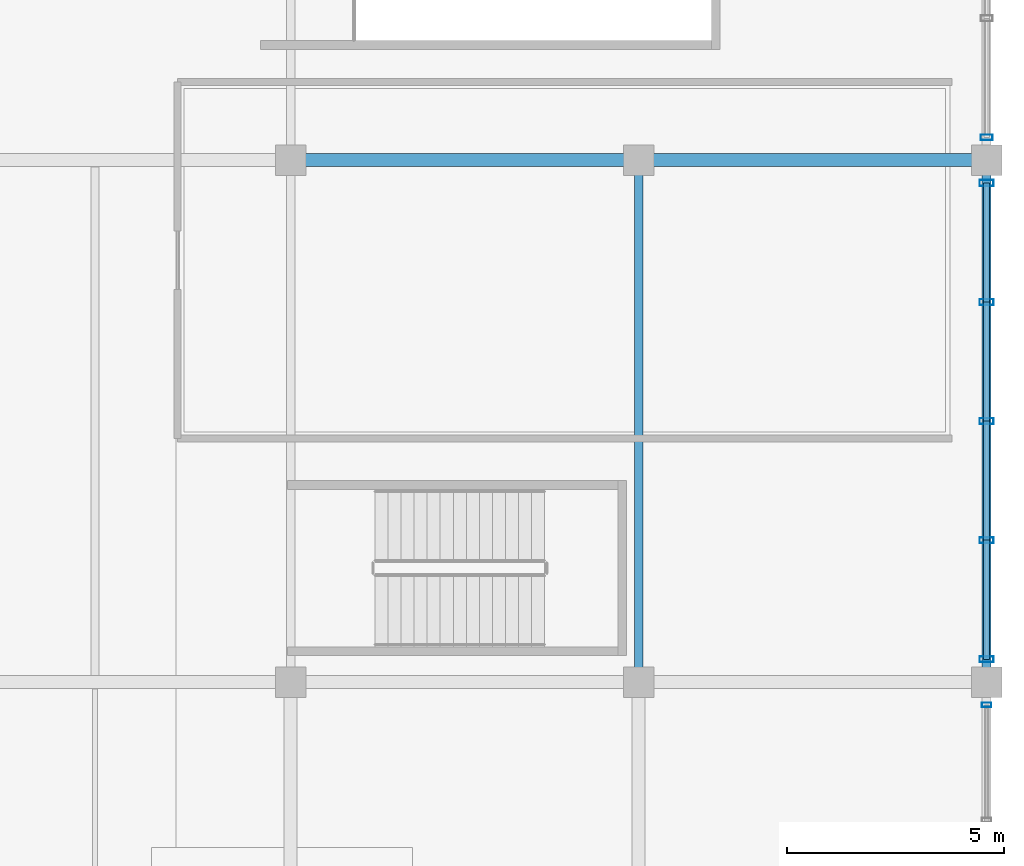
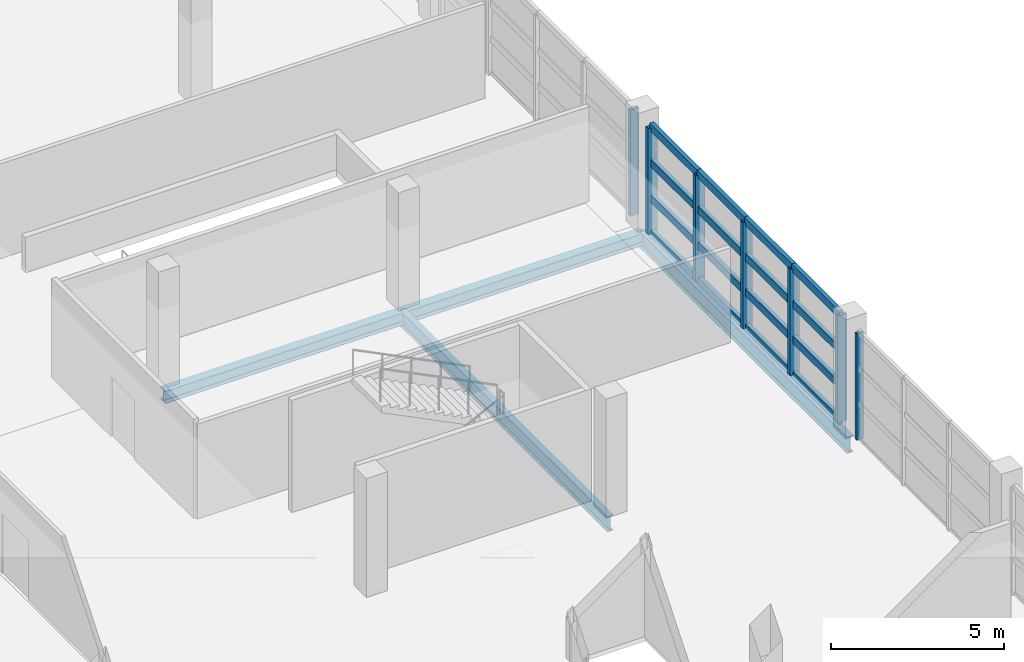
# One storey, part 66 of 136: 23 members, 4 beams, 3 elements without a shape of their own.
"""IFC4 building model written with IfcOpenShell, lengths in metres."""

from ifc_helpers import new_model, si_unit, direction, frame, origin, origin_2d, place, context, subcontext, project, spatial, hollow_rectangle, i_section, extrude, material, material_profile, profile_set, type_object, element, aggregate, save


model = new_model("IFC4")

# Units and contexts
model_context = context("Model", 3, precision=1e-05, world=origin(), true_north=direction((0.0, 1.0)))
body_context = subcontext(model_context, "Body", "Model", "MODEL_VIEW")
ifc_project = project(units=[si_unit("LENGTHUNIT", "METRE"), si_unit("AREAUNIT", "SQUARE_METRE"), si_unit("VOLUMEUNIT", "CUBIC_METRE"), si_unit("PLANEANGLEUNIT", "RADIAN"), si_unit("MASSUNIT", "GRAM", prefix="KILO")], contexts=[model_context])

# Site, building, storey
site_placement = place(None, origin())
site = spatial("IfcSite", under=ifc_project, at=site_placement, CompositionType="ELEMENT")
building_placement = place(site_placement, origin())
building = spatial("IfcBuilding", under=site, at=building_placement, Name="Chuanluo Vaults Station", CompositionType="ELEMENT")
storey_placement = place(building_placement, frame((0.0, 0.0, 6.60009765625)))
storey = spatial("IfcBuildingStorey", under=building, at=storey_placement, Name="L01", CompositionType="ELEMENT", Elevation=6.60009765625)

# Beams
ifc_material_1 = material(Name="Steel Q355C", Category="steel")
ifc_material_profile_1 = material_profile(ifc_material_1, i_section(OverallWidth=0.300048828125, OverallDepth=0.43994140625, WebThickness=0.010986328125, FlangeThickness=0.01806640625, FilletRadius=0.02001953125, at=origin_2d()))
ifc_profile_set_1 = profile_set([ifc_material_profile_1], Name="Steel Q355C")
beam_type_1 = type_object("IfcBeamType", Name="BM-GRD-450", PredefinedType="USERDEFINED", material=ifc_profile_set_1)
for number, where, z_axis, x_axis, name in (
    (1, (172.0, 30.0, -0.460205078125), (1.0, 0.0, 0.0), (0.0, 1.0, 0.0), "Floor girder BM:GX:L01:0308"),
    (2, (180.0, 30.0, -0.460205078125), (1.0, 0.0, 0.0), (0.0, 1.0, 0.0), "Floor girder BM:GX:L01:0309"),
):
    element("IfcBeam", number, at=place(storey_placement, frame(where, z_axis=z_axis, x_axis=x_axis)), inside=storey, type_object=beam_type_1, Name=name, ObjectType="GIRDER", PredefinedType="USERDEFINED", context=body_context, shape_type="SweptSolid", body=[
        extrude(i_section(OverallWidth=0.300048828125, OverallDepth=0.43994140625, WebThickness=0.010986328125, FlangeThickness=0.01806640625, FilletRadius=0.02001953125, at=origin_2d()), origin(), (0.0, 0.0, 1.0), 8.0),
    ])
ifc_material_2 = material(Name="Steel Q355C", Category="steel")
ifc_material_profile_2 = material_profile(ifc_material_2, i_section(OverallWidth=0.199951171875, OverallDepth=0.550048828125, WebThickness=0.010009765625, FlangeThickness=0.01611328125, FilletRadius=0.01806640625, at=origin_2d()))
ifc_profile_set_2 = profile_set([ifc_material_profile_2], Name="Steel Q355C")
beam_type_2 = type_object("IfcBeamType", Name="BM-GRD-550", PredefinedType="USERDEFINED", material=ifc_profile_set_2)
beam_1_placement = place(storey_placement, frame((180.0, 18.0, -0.51513671875), z_axis=(0.0, 1.0, 0.0), x_axis=(-1.0, 0.0, 0.0)))
element("IfcBeam", 3, at=beam_1_placement, inside=storey, type_object=beam_type_2, Name="Floor girder BM:GY:L01:0514", ObjectType="GIRDER", PredefinedType="USERDEFINED", context=body_context, shape_type="SweptSolid", body=[
    extrude(i_section(OverallWidth=0.199951171875, OverallDepth=0.550048828125, WebThickness=0.010009765625, FlangeThickness=0.01611328125, FilletRadius=0.01806640625, at=origin_2d()), origin(), (0.0, 0.0, 1.0), 12.0),
])
ifc_material_3 = material(Name="Steel Q355C", Category="steel")
ifc_material_profile_3 = material_profile(ifc_material_3, i_section(OverallWidth=0.2099609375, OverallDepth=0.580078125, WebThickness=0.010986328125, FlangeThickness=0.01708984375, FilletRadius=0.01806640625, at=origin_2d()))
ifc_profile_set_3 = profile_set([ifc_material_profile_3], Name="Steel Q355C")
beam_type_3 = type_object("IfcBeamType", Name="BM-SPN-600", PredefinedType="SPANDREL", material=ifc_profile_set_3)
beam_2_placement = place(storey_placement, frame((188.0, 18.0, -0.530029296875), z_axis=(0.0, 1.0, 0.0), x_axis=(-1.0, 0.0, 0.0)))
element("IfcBeam", 4, at=beam_2_placement, inside=storey, type_object=beam_type_3, Name="Floor girder BM:GY:L01:0525", PredefinedType="SPANDREL", context=body_context, shape_type="SweptSolid", body=[
    extrude(i_section(OverallWidth=0.2099609375, OverallDepth=0.580078125, WebThickness=0.010986328125, FlangeThickness=0.01708984375, FilletRadius=0.01806640625, at=origin_2d()), origin(), (0.0, 0.0, 1.0), 12.0),
])

# Curtain wall, member
ifc_material_4 = material(Name="Anodised aluminium 6063-T6", Category="aluminium")
curtain_wall_type_1 = type_object("IfcCurtainWallType", Name="CW-SYS-16", PredefinedType="NOTDEFINED", material=ifc_material_4)
curtain_wall_1_placement = place(storey_placement, origin())
curtain_wall_1 = element("IfcCurtainWall", 5, at=curtain_wall_1_placement, inside=storey, type_object=curtain_wall_type_1, Name="Retail pavilion L01 facade CW", PredefinedType="NOTDEFINED")
ifc_material_5 = material(Name="Anodised aluminium 6063-T6", Category="aluminium")
ifc_material_profile_4 = material_profile(ifc_material_5, hollow_rectangle(XDim=0.10498046875, YDim=0.219970703125, WallThickness=0.006103515625, at=origin_2d()))
ifc_profile_set_4 = profile_set([ifc_material_profile_4], Name="Anodised aluminium 6063-T6")
member_type_1 = type_object("IfcMemberType", Name="CWM-140", PredefinedType="MULLION", material=ifc_profile_set_4)
member_1_placement = place(storey_placement, frame((188.0, 17.47509765625, 0.0), z_axis=(0.0, 0.0, 1.0), x_axis=(0.0, -1.0, 0.0)))
member_1 = element("IfcMember", 6, at=member_1_placement, type_object=member_type_1, Name="Retail pavilion L01 facade CW mullion 1", PredefinedType="MULLION", context=body_context, shape_type="SweptSolid", body=[
    extrude(hollow_rectangle(XDim=0.10498046875, YDim=0.219970703125, WallThickness=0.006103515625, at=origin_2d()), origin(), (0.0, 0.0, 1.0), 3.75),
])
aggregate(curtain_wall_1, [member_1])

ifc_material_6 = material(Name="Anodised aluminium 6063-T6", Category="aluminium")
curtain_wall_type_2 = type_object("IfcCurtainWallType", Name="CW-SYS-18", PredefinedType="NOTDEFINED", material=ifc_material_6)
curtain_wall_2_placement = place(storey_placement, origin())
curtain_wall_2 = element("IfcCurtainWall", 7, at=curtain_wall_2_placement, inside=storey, type_object=curtain_wall_type_2, Name="Retail pavilion L01 facade CW", PredefinedType="NOTDEFINED")
ifc_material_7 = material(Name="Anodised aluminium 6063-T6", Category="aluminium")
ifc_material_profile_5 = material_profile(ifc_material_7, hollow_rectangle(XDim=0.1298828125, YDim=0.280029296875, WallThickness=0.007080078125, at=origin_2d()))
ifc_profile_set_5 = profile_set([ifc_material_profile_5], Name="Anodised aluminium 6063-T6")
member_type_2 = type_object("IfcMemberType", Name="CWM-180", PredefinedType="MULLION", material=ifc_profile_set_5)
member_2_placement = place(storey_placement, frame((188.0, 30.52490234375, 0.0), z_axis=(0.0, 0.0, 1.0), x_axis=(0.0, -1.0, 0.0)))
member_2 = element("IfcMember", 8, at=member_2_placement, type_object=member_type_2, Name="Retail pavilion L01 facade CW mullion 5", PredefinedType="MULLION", context=body_context, shape_type="SweptSolid", body=[
    extrude(hollow_rectangle(XDim=0.1298828125, YDim=0.280029296875, WallThickness=0.007080078125, at=origin_2d()), origin(), (0.0, 0.0, 1.0), 3.75),
])
aggregate(curtain_wall_2, [member_2])

# Curtain wall, members
ifc_material_8 = material(Name="Anodised aluminium 6063-T6", Category="aluminium")
curtain_wall_type_3 = type_object("IfcCurtainWallType", Name="CW-SYS-17", PredefinedType="NOTDEFINED", material=ifc_material_8)
curtain_wall_3_placement = place(storey_placement, origin())
curtain_wall_3 = element("IfcCurtainWall", 9, at=curtain_wall_3_placement, inside=storey, type_object=curtain_wall_type_3, Name="Retail pavilion L01 facade CW", PredefinedType="NOTDEFINED")
ifc_material_9 = material(Name="Anodised aluminium 6063-T6", Category="aluminium")
ifc_material_profile_6 = material_profile(ifc_material_9, hollow_rectangle(XDim=0.139892578125, YDim=0.320068359375, WallThickness=0.008056640625, at=origin_2d()))
ifc_profile_set_6 = profile_set([ifc_material_profile_6], Name="Anodised aluminium 6063-T6")
member_type_3 = type_object("IfcMemberType", Name="CWM-220", PredefinedType="MULLION", material=ifc_profile_set_6)
member_3_placement = place(storey_placement, frame((188.0, 29.47509765625, 0.0), z_axis=(0.0, 0.0, 1.0), x_axis=(0.0, -1.0, 0.0)))
member_3 = element("IfcMember", 10, at=member_3_placement, type_object=member_type_3, Name="Retail pavilion L01 facade CW mullion 1", PredefinedType="MULLION", context=body_context, shape_type="SweptSolid", body=[
    extrude(hollow_rectangle(XDim=0.139892578125, YDim=0.320068359375, WallThickness=0.008056640625, at=origin_2d()), origin(), (0.0, 0.0, 1.0), 3.75),
])
member_4_placement = place(storey_placement, frame((188.0, 26.737548828125, 0.0), z_axis=(0.0, 0.0, 1.0), x_axis=(0.0, -1.0, 0.0)))
member_4 = element("IfcMember", 11, at=member_4_placement, type_object=member_type_3, Name="Retail pavilion L01 facade CW mullion 2", PredefinedType="MULLION", context=body_context, shape_type="SweptSolid", body=[
    extrude(hollow_rectangle(XDim=0.139892578125, YDim=0.320068359375, WallThickness=0.008056640625, at=origin_2d()), origin(), (0.0, 0.0, 1.0), 3.75),
])
member_5_placement = place(storey_placement, frame((188.0, 24.0, 0.0), z_axis=(0.0, 0.0, 1.0), x_axis=(0.0, -1.0, 0.0)))
member_5 = element("IfcMember", 12, at=member_5_placement, type_object=member_type_3, Name="Retail pavilion L01 facade CW mullion 3", PredefinedType="MULLION", context=body_context, shape_type="SweptSolid", body=[
    extrude(hollow_rectangle(XDim=0.139892578125, YDim=0.320068359375, WallThickness=0.008056640625, at=origin_2d()), origin(), (0.0, 0.0, 1.0), 3.75),
])
member_6_placement = place(storey_placement, frame((188.0, 21.262451171875, 0.0), z_axis=(0.0, 0.0, 1.0), x_axis=(0.0, -1.0, 0.0)))
member_6 = element("IfcMember", 13, at=member_6_placement, type_object=member_type_3, Name="Retail pavilion L01 facade CW mullion 4", PredefinedType="MULLION", context=body_context, shape_type="SweptSolid", body=[
    extrude(hollow_rectangle(XDim=0.139892578125, YDim=0.320068359375, WallThickness=0.008056640625, at=origin_2d()), origin(), (0.0, 0.0, 1.0), 3.75),
])
member_7_placement = place(storey_placement, frame((188.0, 18.52490234375, 0.0), z_axis=(0.0, 0.0, 1.0), x_axis=(0.0, -1.0, 0.0)))
member_7 = element("IfcMember", 14, at=member_7_placement, type_object=member_type_3, Name="Retail pavilion L01 facade CW mullion 5", PredefinedType="MULLION", context=body_context, shape_type="SweptSolid", body=[
    extrude(hollow_rectangle(XDim=0.139892578125, YDim=0.320068359375, WallThickness=0.008056640625, at=origin_2d()), origin(), (0.0, 0.0, 1.0), 3.75),
])
ifc_material_10 = material(Name="Anodised aluminium 6063-T6", Category="aluminium")
ifc_material_profile_7 = material_profile(ifc_material_10, hollow_rectangle(XDim=0.139892578125, YDim=0.260009765625, WallThickness=0.007080078125, at=origin_2d()))
ifc_profile_set_7 = profile_set([ifc_material_profile_7], Name="Anodised aluminium 6063-T6")
member_type_4 = type_object("IfcMemberType", Name="CWT-180", PredefinedType="USERDEFINED", material=ifc_profile_set_7)
member_8_placement = place(storey_placement, frame((188.0, 29.47509765625, 0.0), z_axis=(0.0, -1.0, 0.0), x_axis=(1.0, 0.0, 0.0)))
member_8 = element("IfcMember", 15, at=member_8_placement, type_object=member_type_4, Name="Retail pavilion L01 facade CW transom 1.1", ObjectType="TRANSOM", PredefinedType="USERDEFINED", context=body_context, shape_type="SweptSolid", body=[
    extrude(hollow_rectangle(XDim=0.139892578125, YDim=0.260009765625, WallThickness=0.007080078125, at=origin_2d()), origin(), (0.0, 0.0, 1.0), 2.737548828125),
])
member_9_placement = place(storey_placement, frame((188.0, 29.47509765625, 1.25), z_axis=(0.0, -1.0, 0.0), x_axis=(1.0, 0.0, 0.0)))
member_9 = element("IfcMember", 16, at=member_9_placement, type_object=member_type_4, Name="Retail pavilion L01 facade CW transom 1.2", ObjectType="TRANSOM", PredefinedType="USERDEFINED", context=body_context, shape_type="SweptSolid", body=[
    extrude(hollow_rectangle(XDim=0.139892578125, YDim=0.260009765625, WallThickness=0.007080078125, at=origin_2d()), origin(), (0.0, 0.0, 1.0), 2.737548828125),
])
member_10_placement = place(storey_placement, frame((188.0, 29.47509765625, 2.5), z_axis=(0.0, -1.0, 0.0), x_axis=(1.0, 0.0, 0.0)))
member_10 = element("IfcMember", 17, at=member_10_placement, type_object=member_type_4, Name="Retail pavilion L01 facade CW transom 1.3", ObjectType="TRANSOM", PredefinedType="USERDEFINED", context=body_context, shape_type="SweptSolid", body=[
    extrude(hollow_rectangle(XDim=0.139892578125, YDim=0.260009765625, WallThickness=0.007080078125, at=origin_2d()), origin(), (0.0, 0.0, 1.0), 2.737548828125),
])
member_11_placement = place(storey_placement, frame((188.0, 29.47509765625, 3.75), z_axis=(0.0, -1.0, 0.0), x_axis=(1.0, 0.0, 0.0)))
member_11 = element("IfcMember", 18, at=member_11_placement, type_object=member_type_4, Name="Retail pavilion L01 facade CW transom 1.4", ObjectType="TRANSOM", PredefinedType="USERDEFINED", context=body_context, shape_type="SweptSolid", body=[
    extrude(hollow_rectangle(XDim=0.139892578125, YDim=0.260009765625, WallThickness=0.007080078125, at=origin_2d()), origin(), (0.0, 0.0, 1.0), 2.737548828125),
])
member_12_placement = place(storey_placement, frame((188.0, 26.737548828125, 0.0), z_axis=(0.0, -1.0, 0.0), x_axis=(1.0, 0.0, 0.0)))
member_12 = element("IfcMember", 19, at=member_12_placement, type_object=member_type_4, Name="Retail pavilion L01 facade CW transom 2.1", ObjectType="TRANSOM", PredefinedType="USERDEFINED", context=body_context, shape_type="SweptSolid", body=[
    extrude(hollow_rectangle(XDim=0.139892578125, YDim=0.260009765625, WallThickness=0.007080078125, at=origin_2d()), origin(), (0.0, 0.0, 1.0), 2.737548828125),
])
member_13_placement = place(storey_placement, frame((188.0, 26.737548828125, 1.25), z_axis=(0.0, -1.0, 0.0), x_axis=(1.0, 0.0, 0.0)))
member_13 = element("IfcMember", 20, at=member_13_placement, type_object=member_type_4, Name="Retail pavilion L01 facade CW transom 2.2", ObjectType="TRANSOM", PredefinedType="USERDEFINED", context=body_context, shape_type="SweptSolid", body=[
    extrude(hollow_rectangle(XDim=0.139892578125, YDim=0.260009765625, WallThickness=0.007080078125, at=origin_2d()), origin(), (0.0, 0.0, 1.0), 2.737548828125),
])
member_14_placement = place(storey_placement, frame((188.0, 26.737548828125, 2.5), z_axis=(0.0, -1.0, 0.0), x_axis=(1.0, 0.0, 0.0)))
member_14 = element("IfcMember", 21, at=member_14_placement, type_object=member_type_4, Name="Retail pavilion L01 facade CW transom 2.3", ObjectType="TRANSOM", PredefinedType="USERDEFINED", context=body_context, shape_type="SweptSolid", body=[
    extrude(hollow_rectangle(XDim=0.139892578125, YDim=0.260009765625, WallThickness=0.007080078125, at=origin_2d()), origin(), (0.0, 0.0, 1.0), 2.737548828125),
])
member_15_placement = place(storey_placement, frame((188.0, 26.737548828125, 3.75), z_axis=(0.0, -1.0, 0.0), x_axis=(1.0, 0.0, 0.0)))
member_15 = element("IfcMember", 22, at=member_15_placement, type_object=member_type_4, Name="Retail pavilion L01 facade CW transom 2.4", ObjectType="TRANSOM", PredefinedType="USERDEFINED", context=body_context, shape_type="SweptSolid", body=[
    extrude(hollow_rectangle(XDim=0.139892578125, YDim=0.260009765625, WallThickness=0.007080078125, at=origin_2d()), origin(), (0.0, 0.0, 1.0), 2.737548828125),
])
member_16_placement = place(storey_placement, frame((188.0, 24.0, 0.0), z_axis=(0.0, -1.0, 0.0), x_axis=(1.0, 0.0, 0.0)))
member_16 = element("IfcMember", 23, at=member_16_placement, type_object=member_type_4, Name="Retail pavilion L01 facade CW transom 3.1", ObjectType="TRANSOM", PredefinedType="USERDEFINED", context=body_context, shape_type="SweptSolid", body=[
    extrude(hollow_rectangle(XDim=0.139892578125, YDim=0.260009765625, WallThickness=0.007080078125, at=origin_2d()), origin(), (0.0, 0.0, 1.0), 2.737548828125),
])
member_17_placement = place(storey_placement, frame((188.0, 24.0, 1.25), z_axis=(0.0, -1.0, 0.0), x_axis=(1.0, 0.0, 0.0)))
member_17 = element("IfcMember", 24, at=member_17_placement, type_object=member_type_4, Name="Retail pavilion L01 facade CW transom 3.2", ObjectType="TRANSOM", PredefinedType="USERDEFINED", context=body_context, shape_type="SweptSolid", body=[
    extrude(hollow_rectangle(XDim=0.139892578125, YDim=0.260009765625, WallThickness=0.007080078125, at=origin_2d()), origin(), (0.0, 0.0, 1.0), 2.737548828125),
])
member_18_placement = place(storey_placement, frame((188.0, 24.0, 2.5), z_axis=(0.0, -1.0, 0.0), x_axis=(1.0, 0.0, 0.0)))
member_18 = element("IfcMember", 25, at=member_18_placement, type_object=member_type_4, Name="Retail pavilion L01 facade CW transom 3.3", ObjectType="TRANSOM", PredefinedType="USERDEFINED", context=body_context, shape_type="SweptSolid", body=[
    extrude(hollow_rectangle(XDim=0.139892578125, YDim=0.260009765625, WallThickness=0.007080078125, at=origin_2d()), origin(), (0.0, 0.0, 1.0), 2.737548828125),
])
member_19_placement = place(storey_placement, frame((188.0, 24.0, 3.75), z_axis=(0.0, -1.0, 0.0), x_axis=(1.0, 0.0, 0.0)))
member_19 = element("IfcMember", 26, at=member_19_placement, type_object=member_type_4, Name="Retail pavilion L01 facade CW transom 3.4", ObjectType="TRANSOM", PredefinedType="USERDEFINED", context=body_context, shape_type="SweptSolid", body=[
    extrude(hollow_rectangle(XDim=0.139892578125, YDim=0.260009765625, WallThickness=0.007080078125, at=origin_2d()), origin(), (0.0, 0.0, 1.0), 2.737548828125),
])
member_20_placement = place(storey_placement, frame((188.0, 21.262451171875, 0.0), z_axis=(0.0, -1.0, 0.0), x_axis=(1.0, 0.0, 0.0)))
member_20 = element("IfcMember", 27, at=member_20_placement, type_object=member_type_4, Name="Retail pavilion L01 facade CW transom 4.1", ObjectType="TRANSOM", PredefinedType="USERDEFINED", context=body_context, shape_type="SweptSolid", body=[
    extrude(hollow_rectangle(XDim=0.139892578125, YDim=0.260009765625, WallThickness=0.007080078125, at=origin_2d()), origin(), (0.0, 0.0, 1.0), 2.737548828125),
])
member_21_placement = place(storey_placement, frame((188.0, 21.262451171875, 1.25), z_axis=(0.0, -1.0, 0.0), x_axis=(1.0, 0.0, 0.0)))
member_21 = element("IfcMember", 28, at=member_21_placement, type_object=member_type_4, Name="Retail pavilion L01 facade CW transom 4.2", ObjectType="TRANSOM", PredefinedType="USERDEFINED", context=body_context, shape_type="SweptSolid", body=[
    extrude(hollow_rectangle(XDim=0.139892578125, YDim=0.260009765625, WallThickness=0.007080078125, at=origin_2d()), origin(), (0.0, 0.0, 1.0), 2.737548828125),
])
member_22_placement = place(storey_placement, frame((188.0, 21.262451171875, 2.5), z_axis=(0.0, -1.0, 0.0), x_axis=(1.0, 0.0, 0.0)))
member_22 = element("IfcMember", 29, at=member_22_placement, type_object=member_type_4, Name="Retail pavilion L01 facade CW transom 4.3", ObjectType="TRANSOM", PredefinedType="USERDEFINED", context=body_context, shape_type="SweptSolid", body=[
    extrude(hollow_rectangle(XDim=0.139892578125, YDim=0.260009765625, WallThickness=0.007080078125, at=origin_2d()), origin(), (0.0, 0.0, 1.0), 2.737548828125),
])
member_23_placement = place(storey_placement, frame((188.0, 21.262451171875, 3.75), z_axis=(0.0, -1.0, 0.0), x_axis=(1.0, 0.0, 0.0)))
member_23 = element("IfcMember", 30, at=member_23_placement, type_object=member_type_4, Name="Retail pavilion L01 facade CW transom 4.4", ObjectType="TRANSOM", PredefinedType="USERDEFINED", context=body_context, shape_type="SweptSolid", body=[
    extrude(hollow_rectangle(XDim=0.139892578125, YDim=0.260009765625, WallThickness=0.007080078125, at=origin_2d()), origin(), (0.0, 0.0, 1.0), 2.737548828125),
])
aggregate(curtain_wall_3, [member_3, member_4, member_5, member_6, member_7, member_8, member_9, member_10, member_11, member_12, member_13, member_14, member_15, member_16, member_17, member_18, member_19, member_20, member_21, member_22, member_23])

save(model, "model.ifc")
